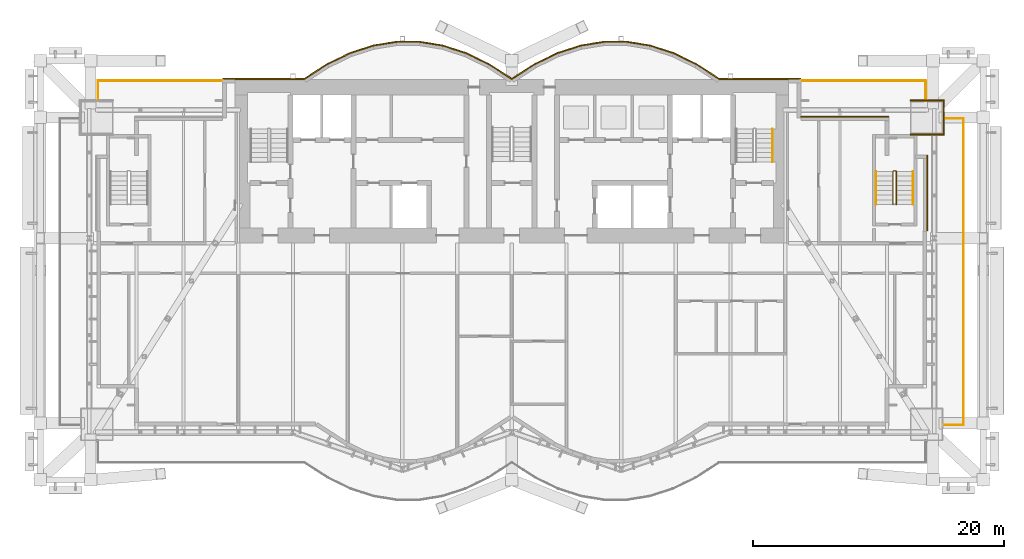
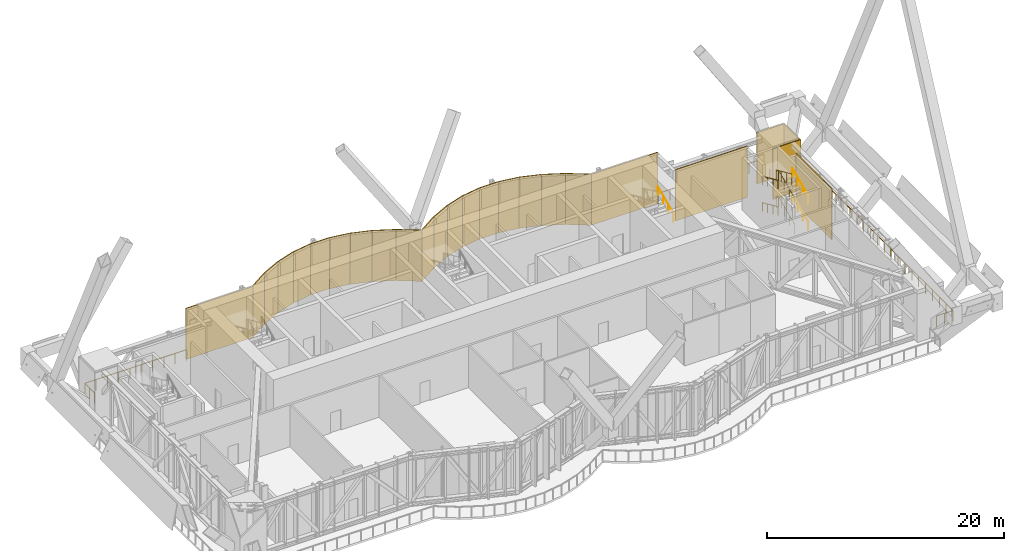
# One storey, part 30 of 31: 25 coverings, 10 railings.
"""IFC4 building model written with IfcOpenShell, lengths in metres."""

from ifc_helpers import new_model, si_unit, direction, frame, origin, origin_2d, place, context, subcontext, project, spatial, rectangle, circle, extrude, material, layer, layer_set, type_object, element, save


model = new_model("IFC4")

# Units and contexts
model_context = context("Model", 3, precision=1e-05, world=origin(), true_north=direction((0.0, 1.0)))
body_context = subcontext(model_context, "Body", "Model", "MODEL_VIEW")
ifc_project = project(units=[si_unit("LENGTHUNIT", "METRE"), si_unit("AREAUNIT", "SQUARE_METRE"), si_unit("VOLUMEUNIT", "CUBIC_METRE"), si_unit("PLANEANGLEUNIT", "RADIAN"), si_unit("MASSUNIT", "GRAM", prefix="KILO")], contexts=[model_context])

# Site, building, storey
site_placement = place(None, origin())
site = spatial("IfcSite", under=ifc_project, at=site_placement, CompositionType="ELEMENT")
building_placement = place(site_placement, origin())
building = spatial("IfcBuilding", under=site, at=building_placement, Name="Bicima Exchange Tower", CompositionType="ELEMENT")
storey_placement = place(building_placement, frame((0.0, 0.0, 236.0)))
storey = spatial("IfcBuildingStorey", under=building, at=storey_placement, Name="L53", CompositionType="ELEMENT", Elevation=236.0)

# Coverings
ifc_material_1 = material(Name="Bronze metal cladding")
ifc_layer_1 = layer(ifc_material_1, 0.004)
ifc_material_2 = material(Name="Ventilated cavity")
ifc_layer_2 = layer(ifc_material_2, 0.06)
ifc_material_3 = material(Name="Galvanised steel rail and mineral wool", Category="steel")
ifc_layer_3 = layer(ifc_material_3, 0.036)
ifc_layer_set = layer_set([ifc_layer_1, ifc_layer_2, ifc_layer_3], Name="Ventilated cavity")
covering_type = type_object("IfcCoveringType", Name="Bronze metal cladding panel 100", PredefinedType="CLADDING", material=ifc_layer_set)
covering_1_placement = place(storey_placement, frame((33.050048828125, -9.0, 0.0), z_axis=(0.0, 0.0, 1.0), x_axis=(0.0, 1.0, 0.0)))
element("IfcCovering", 1, at=covering_1_placement, inside=storey, type_object=covering_type, Name="Bronze cladding L53 2.1", PredefinedType="CLADDING", context=body_context, shape_type="SweptSolid", body=[
    extrude(rectangle(XDim=6.0, YDim=0.10009765625, at=origin_2d()), origin(), (0.0, 0.0, 1.0), 5.25),
])
covering_2_placement = place(storey_placement, frame((26.5, -2.949951171875, 0.0), z_axis=(0.0, 0.0, 1.0), x_axis=(-1.0, 0.0, 0.0)))
element("IfcCovering", 2, at=covering_2_placement, inside=storey, type_object=covering_type, Name="Bronze cladding L53 5.1", PredefinedType="CLADDING", context=body_context, shape_type="SweptSolid", body=[
    extrude(rectangle(XDim=7.0, YDim=0.10009765625, at=origin_2d()), origin(), (0.0, 0.0, 1.0), 5.25),
])
covering_3_placement = place(storey_placement, frame((19.75, 0.050048828125, 0.0), z_axis=(0.0, 0.0, 1.0), x_axis=(-1.0, 0.0, 0.0)))
element("IfcCovering", 3, at=covering_3_placement, inside=storey, type_object=covering_type, Name="Bronze cladding L53 7.1", PredefinedType="CLADDING", context=body_context, shape_type="SweptSolid", body=[
    extrude(rectangle(XDim=6.5, YDim=0.10009765625, at=origin_2d()), origin(), (0.0, 0.0, 1.0), 5.25),
])
covering_4_placement = place(storey_placement, frame((15.610595703125, 0.634521484375, 0.0), z_axis=(0.0, 0.0, 1.0), x_axis=(-0.839790466384, 0.542910648791, 0.0)))
element("IfcCovering", 4, at=covering_4_placement, inside=storey, type_object=covering_type, Name="Bronze cladding L53 8.1", PredefinedType="CLADDING", context=body_context, shape_type="SweptSolid", body=[
    extrude(rectangle(XDim=2.18310546875, YDim=0.10009765625, at=origin_2d()), origin(), (0.0, 0.0, 1.0), 5.25),
])
covering_5_placement = place(storey_placement, frame((13.771728515625, 1.674560546875, 0.0), z_axis=(0.0, 0.0, 1.0), x_axis=(-0.899818346812, 0.436264762204, 0.0)))
element("IfcCovering", 5, at=covering_5_placement, inside=storey, type_object=covering_type, Name="Bronze cladding L53 9.1", PredefinedType="CLADDING", context=body_context, shape_type="SweptSolid", body=[
    extrude(rectangle(XDim=2.03759765625, YDim=0.10009765625, at=origin_2d()), origin(), (0.0, 0.0, 1.0), 5.25),
])
covering_6_placement = place(storey_placement, frame((11.931884765625, 2.41796875, 0.0), z_axis=(0.0, 0.0, 1.0), x_axis=(-0.951524642381, 0.307572519808, 0.0)))
element("IfcCovering", 6, at=covering_6_placement, inside=storey, type_object=covering_type, Name="Bronze cladding L53 10.1", PredefinedType="CLADDING", context=body_context, shape_type="SweptSolid", body=[
    extrude(rectangle(XDim=1.9267578125, YDim=0.10009765625, at=origin_2d()), origin(), (0.0, 0.0, 1.0), 5.25),
])
covering_7_placement = place(storey_placement, frame((10.09130859375, 2.8642578125, 0.0), z_axis=(0.0, 0.0, 1.0), x_axis=(-0.987189786347, 0.159550386184, 0.0)))
element("IfcCovering", 7, at=covering_7_placement, inside=storey, type_object=covering_type, Name="Bronze cladding L53 11.1", PredefinedType="CLADDING", context=body_context, shape_type="SweptSolid", body=[
    extrude(rectangle(XDim=1.857177734375, YDim=0.10009765625, at=origin_2d()), origin(), (0.0, 0.0, 1.0), 5.25),
])
covering_8_placement = place(storey_placement, frame((8.25, 3.012939453125, 0.0), z_axis=(0.0, 0.0, 1.0), x_axis=(-1.0, 0.0, 0.0)))
element("IfcCovering", 8, at=covering_8_placement, inside=storey, type_object=covering_type, Name="Bronze cladding L53 12.1", PredefinedType="CLADDING", context=body_context, shape_type="SweptSolid", body=[
    extrude(rectangle(XDim=1.83349609375, YDim=0.10009765625, at=origin_2d()), origin(), (0.0, 0.0, 1.0), 5.25),
])
covering_9_placement = place(storey_placement, frame((6.40869140625, 2.8642578125, 0.0), z_axis=(0.0, 0.0, 1.0), x_axis=(-0.987189786347, -0.159550386184, 0.0)))
element("IfcCovering", 9, at=covering_9_placement, inside=storey, type_object=covering_type, Name="Bronze cladding L53 13.1", PredefinedType="CLADDING", context=body_context, shape_type="SweptSolid", body=[
    extrude(rectangle(XDim=1.857177734375, YDim=0.10009765625, at=origin_2d()), origin(), (0.0, 0.0, 1.0), 5.25),
])
covering_10_placement = place(storey_placement, frame((4.568115234375, 2.41796875, 0.0), z_axis=(0.0, 0.0, 1.0), x_axis=(-0.951524642381, -0.307572519808, 0.0)))
element("IfcCovering", 10, at=covering_10_placement, inside=storey, type_object=covering_type, Name="Bronze cladding L53 14.1", PredefinedType="CLADDING", context=body_context, shape_type="SweptSolid", body=[
    extrude(rectangle(XDim=1.9267578125, YDim=0.10009765625, at=origin_2d()), origin(), (0.0, 0.0, 1.0), 5.25),
])
covering_11_placement = place(storey_placement, frame((2.728271484375, 1.674560546875, 0.0), z_axis=(0.0, 0.0, 1.0), x_axis=(-0.899818346812, -0.436264762204, 0.0)))
element("IfcCovering", 11, at=covering_11_placement, inside=storey, type_object=covering_type, Name="Bronze cladding L53 15.1", PredefinedType="CLADDING", context=body_context, shape_type="SweptSolid", body=[
    extrude(rectangle(XDim=2.03759765625, YDim=0.10009765625, at=origin_2d()), origin(), (0.0, 0.0, 1.0), 5.25),
])
for number, where, z_axis, x_axis, name in (
    (12, (0.889404296875, 0.634521484375, 0.0), (0.0, 0.0, 1.0), (-0.839790466384, -0.542910648791, 0.0), "Bronze cladding L53 16.1"),
    (13, (-0.889404296875, 0.634521484375, 0.0), (0.0, 0.0, 1.0), (-0.839790466384, 0.542910648791, 0.0), "Bronze cladding L53 17.1"),
):
    element("IfcCovering", number, at=place(storey_placement, frame(where, z_axis=z_axis, x_axis=x_axis)), inside=storey, type_object=covering_type, Name=name, PredefinedType="CLADDING", context=body_context, shape_type="SweptSolid", body=[
        extrude(rectangle(XDim=2.18310546875, YDim=0.10009765625, at=origin_2d()), origin(), (0.0, 0.0, 1.0), 5.25),
    ])
covering_12_placement = place(storey_placement, frame((-2.728271484375, 1.674560546875, 0.0), z_axis=(0.0, 0.0, 1.0), x_axis=(-0.899818346812, 0.436264762204, 0.0)))
element("IfcCovering", 14, at=covering_12_placement, inside=storey, type_object=covering_type, Name="Bronze cladding L53 18.1", PredefinedType="CLADDING", context=body_context, shape_type="SweptSolid", body=[
    extrude(rectangle(XDim=2.03759765625, YDim=0.10009765625, at=origin_2d()), origin(), (0.0, 0.0, 1.0), 5.25),
])
covering_13_placement = place(storey_placement, frame((-4.568115234375, 2.41796875, 0.0), z_axis=(0.0, 0.0, 1.0), x_axis=(-0.951524642381, 0.307572519808, 0.0)))
element("IfcCovering", 15, at=covering_13_placement, inside=storey, type_object=covering_type, Name="Bronze cladding L53 19.1", PredefinedType="CLADDING", context=body_context, shape_type="SweptSolid", body=[
    extrude(rectangle(XDim=1.9267578125, YDim=0.10009765625, at=origin_2d()), origin(), (0.0, 0.0, 1.0), 5.25),
])
covering_14_placement = place(storey_placement, frame((-6.40869140625, 2.8642578125, 0.0), z_axis=(0.0, 0.0, 1.0), x_axis=(-0.987189786347, 0.159550386184, 0.0)))
element("IfcCovering", 16, at=covering_14_placement, inside=storey, type_object=covering_type, Name="Bronze cladding L53 20.1", PredefinedType="CLADDING", context=body_context, shape_type="SweptSolid", body=[
    extrude(rectangle(XDim=1.857177734375, YDim=0.10009765625, at=origin_2d()), origin(), (0.0, 0.0, 1.0), 5.25),
])
covering_15_placement = place(storey_placement, frame((-8.25, 3.012939453125, 0.0), z_axis=(0.0, 0.0, 1.0), x_axis=(-1.0, 0.0, 0.0)))
element("IfcCovering", 17, at=covering_15_placement, inside=storey, type_object=covering_type, Name="Bronze cladding L53 21.1", PredefinedType="CLADDING", context=body_context, shape_type="SweptSolid", body=[
    extrude(rectangle(XDim=1.83349609375, YDim=0.10009765625, at=origin_2d()), origin(), (0.0, 0.0, 1.0), 5.25),
])
covering_16_placement = place(storey_placement, frame((-10.09130859375, 2.8642578125, 0.0), z_axis=(0.0, 0.0, 1.0), x_axis=(-0.987189786347, -0.159550386184, 0.0)))
element("IfcCovering", 18, at=covering_16_placement, inside=storey, type_object=covering_type, Name="Bronze cladding L53 22.1", PredefinedType="CLADDING", context=body_context, shape_type="SweptSolid", body=[
    extrude(rectangle(XDim=1.857177734375, YDim=0.10009765625, at=origin_2d()), origin(), (0.0, 0.0, 1.0), 5.25),
])
covering_17_placement = place(storey_placement, frame((-11.931884765625, 2.41796875, 0.0), z_axis=(0.0, 0.0, 1.0), x_axis=(-0.951524642381, -0.307572519808, 0.0)))
element("IfcCovering", 19, at=covering_17_placement, inside=storey, type_object=covering_type, Name="Bronze cladding L53 23.1", PredefinedType="CLADDING", context=body_context, shape_type="SweptSolid", body=[
    extrude(rectangle(XDim=1.9267578125, YDim=0.10009765625, at=origin_2d()), origin(), (0.0, 0.0, 1.0), 5.25),
])
covering_18_placement = place(storey_placement, frame((-13.771728515625, 1.674560546875, 0.0), z_axis=(0.0, 0.0, 1.0), x_axis=(-0.899818346812, -0.436264762204, 0.0)))
element("IfcCovering", 20, at=covering_18_placement, inside=storey, type_object=covering_type, Name="Bronze cladding L53 24.1", PredefinedType="CLADDING", context=body_context, shape_type="SweptSolid", body=[
    extrude(rectangle(XDim=2.03759765625, YDim=0.10009765625, at=origin_2d()), origin(), (0.0, 0.0, 1.0), 5.25),
])
covering_19_placement = place(storey_placement, frame((-15.610595703125, 0.634521484375, 0.0), z_axis=(0.0, 0.0, 1.0), x_axis=(-0.839790466384, -0.542910648791, 0.0)))
element("IfcCovering", 21, at=covering_19_placement, inside=storey, type_object=covering_type, Name="Bronze cladding L53 25.1", PredefinedType="CLADDING", context=body_context, shape_type="SweptSolid", body=[
    extrude(rectangle(XDim=2.18310546875, YDim=0.10009765625, at=origin_2d()), origin(), (0.0, 0.0, 1.0), 5.25),
])
covering_20_placement = place(storey_placement, frame((-19.75, 0.050048828125, 0.0), z_axis=(0.0, 0.0, 1.0), x_axis=(-1.0, 0.0, 0.0)))
element("IfcCovering", 22, at=covering_20_placement, inside=storey, type_object=covering_type, Name="Bronze cladding L53 26.1", PredefinedType="CLADDING", context=body_context, shape_type="SweptSolid", body=[
    extrude(rectangle(XDim=6.5, YDim=0.10009765625, at=origin_2d()), origin(), (0.0, 0.0, 1.0), 5.25),
])
for number, where, z_axis, x_axis, name in (
    (23, (33.050048828125, -1.64990234375, 0.0), (0.0, 0.0, 1.0), (1.0, 0.0, 0.0), "Column cladding L53 2N"),
    (24, (33.050048828125, -4.35009765625, 0.0), (0.0, 0.0, 1.0), (1.0, 0.0, 0.0), "Column cladding L53 2S"),
):
    element("IfcCovering", number, at=place(storey_placement, frame(where, z_axis=z_axis, x_axis=x_axis)), inside=storey, type_object=covering_type, Name=name, PredefinedType="CLADDING", context=body_context, shape_type="SweptSolid", body=[
        extrude(rectangle(XDim=2.699951171875, YDim=0.10009765625, at=origin_2d()), origin(), (0.0, 0.0, 1.0), 5.25),
    ])
covering_21_placement = place(storey_placement, frame((34.35009765625, -3.0, 0.0), z_axis=(0.0, 0.0, 1.0), x_axis=(1.0, 0.0, 0.0)))
element("IfcCovering", 25, at=covering_21_placement, inside=storey, type_object=covering_type, Name="Column cladding L53 2O", PredefinedType="CLADDING", context=body_context, shape_type="SweptSolid", body=[
    extrude(rectangle(XDim=0.10009765625, YDim=2.60009765625, at=origin_2d()), origin(), (0.0, 0.0, 1.0), 5.25),
])

# Railings
ifc_material_4 = material(Name="Stainless steel", Category="steel")
railing_type_1 = type_object("IfcRailingType", Name="Stair guard 1100", PredefinedType="GUARDRAIL", material=ifc_material_4)
railing_1_placement = place(storey_placement, frame((30.574951171875, -9.925048828125, 0.168701171875)))
element("IfcRailing", 26, at=railing_1_placement, inside=storey, type_object=railing_type_1, Name="L53 ST-EE stair guard 1", PredefinedType="GUARDRAIL", context=body_context, shape_type="SweptSolid", body=[
    extrude(circle(Radius=0.02392578125, at=origin_2d()), frame((0.0, 0.0, 1.076171875), z_axis=(0.0, 0.912201722539, 0.409741403079), x_axis=(-1.0, 0.0, 0.0)), (0.0, 0.0, 1.0), 2.88330078125),
    extrude(circle(Radius=0.02392578125, at=origin_2d()), frame((0.0, 2.630126953125, 2.25732421875), z_axis=(-0.708833529934, 0.705375805398, 0.0), x_axis=(-0.705375805398, -0.708833529934, 0.0)), (0.0, 0.0, 1.0), 0.070556640625),
    extrude(circle(Radius=0.02392578125, at=origin_2d()), frame((-0.050048828125, 2.679931640625, 2.25732421875), z_axis=(-1.0, 0.0, 0.0), x_axis=(0.0, -1.0, 0.0)), (0.0, 0.0, 1.0), 0.14990234375),
    extrude(circle(Radius=0.02392578125, at=origin_2d()), frame((-0.199951171875, 2.679931640625, 2.25732421875), z_axis=(-0.273668752699, -0.272333783174, 0.922463942026), x_axis=(0.705375805398, -0.708833529934, 0.0)), (0.0, 0.0, 1.0), 0.182861328125),
    extrude(circle(Radius=0.02392578125, at=origin_2d()), frame((-0.25, 2.630126953125, 2.42626953125), z_axis=(0.0, -0.912233369549, 0.409670940488), x_axis=(1.0, 0.0, 0.0)), (0.0, 0.0, 1.0), 2.883056640625),
    extrude(circle(Radius=0.02099609375, at=origin_2d()), origin(), (0.0, 0.0, 1.0), 1.052001953125),
    extrude(circle(Radius=0.02099609375, at=origin_2d()), frame((0.0, 0.876708984375, 0.393798828125)), (0.0, 0.0, 1.0), 1.052001953125),
    extrude(circle(Radius=0.02099609375, at=origin_2d()), frame((0.0, 1.75341796875, 0.78759765625)), (0.0, 0.0, 1.0), 1.052001953125),
    extrude(circle(Radius=0.02099609375, at=origin_2d()), frame((0.0, 2.630126953125, 1.181396484375)), (0.0, 0.0, 1.0), 1.052001953125),
    extrude(circle(Radius=0.02099609375, at=origin_2d()), frame((-0.050048828125, 2.679931640625, 1.181396484375)), (0.0, 0.0, 1.0), 1.052001953125),
    extrude(circle(Radius=0.02099609375, at=origin_2d()), frame((-0.199951171875, 2.679931640625, 1.181396484375)), (0.0, 0.0, 1.0), 1.052001953125),
    extrude(circle(Radius=0.02099609375, at=origin_2d()), frame((-0.25, 2.630126953125, 1.35009765625)), (0.0, 0.0, 1.0), 1.052001953125),
    extrude(circle(Radius=0.02099609375, at=origin_2d()), frame((-0.25, 1.75341796875, 1.743896484375)), (0.0, 0.0, 1.0), 1.052001953125),
    extrude(circle(Radius=0.02099609375, at=origin_2d()), frame((-0.25, 0.876708984375, 2.137451171875)), (0.0, 0.0, 1.0), 1.052001953125),
    extrude(circle(Radius=0.02099609375, at=origin_2d()), frame((-0.25, 0.0, 2.53125)), (0.0, 0.0, 1.0), 1.052001953125),
])
railing_2_placement = place(storey_placement, frame((30.574951171875, -9.925048828125, 2.86865234375)))
element("IfcRailing", 27, at=railing_2_placement, inside=storey, type_object=railing_type_1, Name="L53 ST-EE stair guard 2", PredefinedType="GUARDRAIL", context=body_context, shape_type="SweptSolid", body=[
    extrude(circle(Radius=0.02392578125, at=origin_2d()), frame((0.0, 0.0, 1.076171875), z_axis=(0.0, 0.912201722539, 0.409741403079), x_axis=(-1.0, 0.0, 0.0)), (0.0, 0.0, 1.0), 2.88330078125),
    extrude(circle(Radius=0.02392578125, at=origin_2d()), frame((0.0, 2.630126953125, 2.25732421875), z_axis=(-0.708833529934, 0.705375805398, 0.0), x_axis=(-0.705375805398, -0.708833529934, 0.0)), (0.0, 0.0, 1.0), 0.070556640625),
    extrude(circle(Radius=0.02392578125, at=origin_2d()), frame((-0.050048828125, 2.679931640625, 2.25732421875), z_axis=(-1.0, 0.0, 0.0), x_axis=(0.0, -1.0, 0.0)), (0.0, 0.0, 1.0), 0.14990234375),
    extrude(circle(Radius=0.02392578125, at=origin_2d()), frame((-0.199951171875, 2.679931640625, 2.25732421875), z_axis=(-0.273668752699, -0.272333783174, 0.922463942026), x_axis=(0.705375805398, -0.708833529934, 0.0)), (0.0, 0.0, 1.0), 0.182861328125),
    extrude(circle(Radius=0.02392578125, at=origin_2d()), frame((-0.25, 2.630126953125, 2.42626953125), z_axis=(0.0, -0.912233369549, 0.409670940488), x_axis=(1.0, 0.0, 0.0)), (0.0, 0.0, 1.0), 2.883056640625),
    extrude(circle(Radius=0.02099609375, at=origin_2d()), origin(), (0.0, 0.0, 1.0), 1.052001953125),
    extrude(circle(Radius=0.02099609375, at=origin_2d()), frame((0.0, 0.876708984375, 0.393798828125)), (0.0, 0.0, 1.0), 1.052001953125),
    extrude(circle(Radius=0.02099609375, at=origin_2d()), frame((0.0, 1.75341796875, 0.78759765625)), (0.0, 0.0, 1.0), 1.052001953125),
    extrude(circle(Radius=0.02099609375, at=origin_2d()), frame((0.0, 2.630126953125, 1.181396484375)), (0.0, 0.0, 1.0), 1.052001953125),
    extrude(circle(Radius=0.02099609375, at=origin_2d()), frame((-0.050048828125, 2.679931640625, 1.181396484375)), (0.0, 0.0, 1.0), 1.052001953125),
    extrude(circle(Radius=0.02099609375, at=origin_2d()), frame((-0.199951171875, 2.679931640625, 1.181396484375)), (0.0, 0.0, 1.0), 1.052001953125),
    extrude(circle(Radius=0.02099609375, at=origin_2d()), frame((-0.25, 2.630126953125, 1.35009765625)), (0.0, 0.0, 1.0), 1.052001953125),
    extrude(circle(Radius=0.02099609375, at=origin_2d()), frame((-0.25, 1.75341796875, 1.743896484375)), (0.0, 0.0, 1.0), 1.052001953125),
    extrude(circle(Radius=0.02099609375, at=origin_2d()), frame((-0.25, 0.876708984375, 2.137451171875)), (0.0, 0.0, 1.0), 1.052001953125),
    extrude(circle(Radius=0.02099609375, at=origin_2d()), frame((-0.25, 0.0, 2.53125)), (0.0, 0.0, 1.0), 1.052001953125),
])
railing_type_2 = type_object("IfcRailingType", Name="Stair handrail 900", PredefinedType="HANDRAIL", material=ifc_material_4)
for number, where, name in (
    (28, (20.75, -6.550048828125, 2.86865234375), "L53 ST-E stair handrail 3"),
    (29, (31.925048828125, -9.925048828125, 0.168701171875), "L53 ST-EE stair handrail 1"),
):
    element("IfcRailing", number, at=place(storey_placement, frame(where)), inside=storey, type_object=railing_type_2, Name=name, PredefinedType="HANDRAIL", context=body_context, shape_type="SweptSolid", body=[
        extrude(circle(Radius=0.02392578125, at=origin_2d()), frame((0.0, 0.0, 0.8759765625), z_axis=(0.0, 0.912201722539, 0.409741403079), x_axis=(-1.0, 0.0, 0.0)), (0.0, 0.0, 1.0), 2.88330078125),
        extrude(circle(Radius=0.02099609375, at=origin_2d()), origin(), (0.0, 0.0, 1.0), 0.851806640625),
        extrude(circle(Radius=0.02099609375, at=origin_2d()), frame((0.0, 0.876708984375, 0.393798828125)), (0.0, 0.0, 1.0), 0.851806640625),
        extrude(circle(Radius=0.02099609375, at=origin_2d()), frame((0.0, 1.75341796875, 0.78759765625)), (0.0, 0.0, 1.0), 0.851806640625),
        extrude(circle(Radius=0.02099609375, at=origin_2d()), frame((0.0, 2.630126953125, 1.181396484375)), (0.0, 0.0, 1.0), 0.851806640625),
    ])
railing_3_placement = place(storey_placement, frame((28.97509765625, -7.294921875, 1.518798828125)))
element("IfcRailing", 30, at=railing_3_placement, inside=storey, type_object=railing_type_2, Name="L53 ST-EE stair handrail 2", PredefinedType="HANDRAIL", context=body_context, shape_type="SweptSolid", body=[
    extrude(circle(Radius=0.02392578125, at=origin_2d()), frame((0.0, 0.0, 0.8759765625), z_axis=(0.0, -0.912233369549, 0.409670940488), x_axis=(1.0, 0.0, 0.0)), (0.0, 0.0, 1.0), 2.883056640625),
    extrude(circle(Radius=0.02099609375, at=origin_2d()), origin(), (0.0, 0.0, 1.0), 0.851806640625),
    extrude(circle(Radius=0.02099609375, at=origin_2d()), frame((0.0, -0.876708984375, 0.393798828125)), (0.0, 0.0, 1.0), 0.851806640625),
    extrude(circle(Radius=0.02099609375, at=origin_2d()), frame((0.0, -1.75341796875, 0.787353515625)), (0.0, 0.0, 1.0), 0.851806640625),
    extrude(circle(Radius=0.02099609375, at=origin_2d()), frame((0.0, -2.630126953125, 1.18115234375)), (0.0, 0.0, 1.0), 0.851806640625),
])
railing_4_placement = place(storey_placement, frame((31.925048828125, -9.925048828125, 2.86865234375)))
element("IfcRailing", 31, at=railing_4_placement, inside=storey, type_object=railing_type_2, Name="L53 ST-EE stair handrail 3", PredefinedType="HANDRAIL", context=body_context, shape_type="SweptSolid", body=[
    extrude(circle(Radius=0.02392578125, at=origin_2d()), frame((0.0, 0.0, 0.8759765625), z_axis=(0.0, 0.912201722539, 0.409741403079), x_axis=(-1.0, 0.0, 0.0)), (0.0, 0.0, 1.0), 2.88330078125),
    extrude(circle(Radius=0.02099609375, at=origin_2d()), origin(), (0.0, 0.0, 1.0), 0.851806640625),
    extrude(circle(Radius=0.02099609375, at=origin_2d()), frame((0.0, 0.876708984375, 0.393798828125)), (0.0, 0.0, 1.0), 0.851806640625),
    extrude(circle(Radius=0.02099609375, at=origin_2d()), frame((0.0, 1.75341796875, 0.78759765625)), (0.0, 0.0, 1.0), 0.851806640625),
    extrude(circle(Radius=0.02099609375, at=origin_2d()), frame((0.0, 2.630126953125, 1.181396484375)), (0.0, 0.0, 1.0), 0.851806640625),
])
railing_5_placement = place(storey_placement, frame((28.97509765625, -7.294921875, 4.241455078125)))
element("IfcRailing", 32, at=railing_5_placement, inside=storey, type_object=railing_type_2, Name="L53 ST-EE stair handrail 4", PredefinedType="HANDRAIL", context=body_context, shape_type="SweptSolid", body=[
    extrude(circle(Radius=0.02392578125, at=origin_2d()), frame((0.0, 0.0, 0.8759765625), z_axis=(0.0, -0.912201722539, 0.409741403079), x_axis=(1.0, 0.0, 0.0)), (0.0, 0.0, 1.0), 2.88330078125),
    extrude(circle(Radius=0.02099609375, at=origin_2d()), origin(), (0.0, 0.0, 1.0), 0.851806640625),
    extrude(circle(Radius=0.02099609375, at=origin_2d()), frame((0.0, -0.876708984375, 0.393798828125)), (0.0, 0.0, 1.0), 0.851806640625),
    extrude(circle(Radius=0.02099609375, at=origin_2d()), frame((0.0, -1.75341796875, 0.78759765625)), (0.0, 0.0, 1.0), 0.851806640625),
    extrude(circle(Radius=0.02099609375, at=origin_2d()), frame((0.0, -2.630126953125, 1.181396484375)), (0.0, 0.0, 1.0), 0.851806640625),
])
ifc_material_5 = material(Name="Stainless steel and bonded safety glass", Category="steel")
railing_type_3 = type_object("IfcRailingType", Name="Terrace guard 1100", PredefinedType="GUARDRAIL", material=ifc_material_5)
railing_6_placement = place(storey_placement, frame((-32.919921875, -1.699951171875, 0.0)))
element("IfcRailing", 33, at=railing_6_placement, inside=storey, type_object=railing_type_3, Name="Terrace guard L53 2", PredefinedType="GUARDRAIL", context=body_context, shape_type="SweptSolid", body=[
    extrude(circle(Radius=0.02392578125, at=origin_2d()), frame((0.0, 0.0, 1.076171875), z_axis=(0.0, 1.0, 0.0), x_axis=(-1.0, 0.0, 0.0)), (0.0, 0.0, 1.0), 1.619873046875),
    extrude(circle(Radius=0.02392578125, at=origin_2d()), frame((0.0, 1.619873046875, 1.076171875), z_axis=(1.0, 0.0, 0.0), x_axis=(0.0, 1.0, 0.0)), (0.0, 0.0, 1.0), 9.89990234375),
    extrude(circle(Radius=0.02099609375, at=origin_2d()), origin(), (0.0, 0.0, 1.0), 1.052001953125),
    extrude(circle(Radius=0.02099609375, at=origin_2d()), frame((0.0, 0.81005859375, 0.0)), (0.0, 0.0, 1.0), 1.052001953125),
    extrude(circle(Radius=0.02099609375, at=origin_2d()), frame((0.0, 1.619873046875, 0.0)), (0.0, 0.0, 1.0), 1.052001953125),
    extrude(circle(Radius=0.02099609375, at=origin_2d()), frame((1.10009765625, 1.619873046875, 0.0)), (0.0, 0.0, 1.0), 1.052001953125),
    extrude(circle(Radius=0.02099609375, at=origin_2d()), frame((2.199951171875, 1.619873046875, 0.0)), (0.0, 0.0, 1.0), 1.052001953125),
    extrude(circle(Radius=0.02099609375, at=origin_2d()), frame((3.300048828125, 1.619873046875, 0.0)), (0.0, 0.0, 1.0), 1.052001953125),
    extrude(circle(Radius=0.02099609375, at=origin_2d()), frame((4.39990234375, 1.619873046875, 0.0)), (0.0, 0.0, 1.0), 1.052001953125),
    extrude(circle(Radius=0.02099609375, at=origin_2d()), frame((5.5, 1.619873046875, 0.0)), (0.0, 0.0, 1.0), 1.052001953125),
    extrude(circle(Radius=0.02099609375, at=origin_2d()), frame((6.599853515625, 1.619873046875, 0.0)), (0.0, 0.0, 1.0), 1.052001953125),
    extrude(circle(Radius=0.02099609375, at=origin_2d()), frame((7.699951171875, 1.619873046875, 0.0)), (0.0, 0.0, 1.0), 1.052001953125),
    extrude(circle(Radius=0.02099609375, at=origin_2d()), frame((8.7998046875, 1.619873046875, 0.0)), (0.0, 0.0, 1.0), 1.052001953125),
    extrude(circle(Radius=0.02099609375, at=origin_2d()), frame((9.89990234375, 1.619873046875, 0.0)), (0.0, 0.0, 1.0), 1.052001953125),
])
railing_7_placement = place(storey_placement, frame((23.02001953125, -0.080078125, 0.0)))
element("IfcRailing", 34, at=railing_7_placement, inside=storey, type_object=railing_type_3, Name="Terrace guard L53 3", PredefinedType="GUARDRAIL", context=body_context, shape_type="SweptSolid", body=[
    extrude(circle(Radius=0.02392578125, at=origin_2d()), frame((0.0, 0.0, 1.076171875), z_axis=(1.0, 0.0, 0.0), x_axis=(0.0, 1.0, 0.0)), (0.0, 0.0, 1.0), 9.89990234375),
    extrude(circle(Radius=0.02392578125, at=origin_2d()), frame((9.89990234375, 0.0, 1.076171875), z_axis=(0.0, -1.0, 0.0), x_axis=(1.0, 0.0, 0.0)), (0.0, 0.0, 1.0), 1.619873046875),
    extrude(circle(Radius=0.02099609375, at=origin_2d()), origin(), (0.0, 0.0, 1.0), 1.052001953125),
    extrude(circle(Radius=0.02099609375, at=origin_2d()), frame((1.10009765625, 0.0, 0.0)), (0.0, 0.0, 1.0), 1.052001953125),
    extrude(circle(Radius=0.02099609375, at=origin_2d()), frame((2.199951171875, 0.0, 0.0)), (0.0, 0.0, 1.0), 1.052001953125),
    extrude(circle(Radius=0.02099609375, at=origin_2d()), frame((3.300048828125, 0.0, 0.0)), (0.0, 0.0, 1.0), 1.052001953125),
    extrude(circle(Radius=0.02099609375, at=origin_2d()), frame((4.39990234375, 0.0, 0.0)), (0.0, 0.0, 1.0), 1.052001953125),
    extrude(circle(Radius=0.02099609375, at=origin_2d()), frame((5.5, 0.0, 0.0)), (0.0, 0.0, 1.0), 1.052001953125),
    extrude(circle(Radius=0.02099609375, at=origin_2d()), frame((6.599853515625, 0.0, 0.0)), (0.0, 0.0, 1.0), 1.052001953125),
    extrude(circle(Radius=0.02099609375, at=origin_2d()), frame((7.699951171875, 0.0, 0.0)), (0.0, 0.0, 1.0), 1.052001953125),
    extrude(circle(Radius=0.02099609375, at=origin_2d()), frame((8.7998046875, 0.0, 0.0)), (0.0, 0.0, 1.0), 1.052001953125),
    extrude(circle(Radius=0.02099609375, at=origin_2d()), frame((9.89990234375, 0.0, 0.0)), (0.0, 0.0, 1.0), 1.052001953125),
    extrude(circle(Radius=0.02099609375, at=origin_2d()), frame((9.89990234375, -0.81005859375, 0.0)), (0.0, 0.0, 1.0), 1.052001953125),
    extrude(circle(Radius=0.02099609375, at=origin_2d()), frame((9.89990234375, -1.619873046875, 0.0)), (0.0, 0.0, 1.0), 1.052001953125),
])
railing_8_placement = place(storey_placement, frame((34.300048828125, -3.080078125, 0.0)))
element("IfcRailing", 35, at=railing_8_placement, inside=storey, type_object=railing_type_3, Name="Terrace guard L53 4", PredefinedType="GUARDRAIL", context=body_context, shape_type="SweptSolid", body=[
    extrude(circle(Radius=0.02392578125, at=origin_2d()), frame((0.0, 0.0, 1.076171875), z_axis=(1.0, 0.0, 0.0), x_axis=(0.0, 1.0, 0.0)), (0.0, 0.0, 1.0), 1.619873046875),
    extrude(circle(Radius=0.02392578125, at=origin_2d()), frame((1.619873046875, 0.0, 1.076171875), z_axis=(0.0, -1.0, 0.0), x_axis=(1.0, 0.0, 0.0)), (0.0, 0.0, 1.0), 24.371826171875),
    extrude(circle(Radius=0.02392578125, at=origin_2d()), frame((1.619873046875, -24.371826171875, 1.076171875), z_axis=(-1.0, 0.0, 0.0), x_axis=(0.0, -1.0, 0.0)), (0.0, 0.0, 1.0), 1.619873046875),
    extrude(circle(Radius=0.02099609375, at=origin_2d()), origin(), (0.0, 0.0, 1.0), 1.052001953125),
    extrude(circle(Radius=0.02099609375, at=origin_2d()), frame((0.81005859375, 0.0, 0.0)), (0.0, 0.0, 1.0), 1.052001953125),
    extrude(circle(Radius=0.02099609375, at=origin_2d()), frame((1.619873046875, 0.0, 0.0)), (0.0, 0.0, 1.0), 1.052001953125),
    extrude(circle(Radius=0.02099609375, at=origin_2d()), frame((1.619873046875, -1.16064453125, 0.0)), (0.0, 0.0, 1.0), 1.052001953125),
    extrude(circle(Radius=0.02099609375, at=origin_2d()), frame((1.619873046875, -2.321044921875, 0.0)), (0.0, 0.0, 1.0), 1.052001953125),
    extrude(circle(Radius=0.02099609375, at=origin_2d()), frame((1.619873046875, -3.481689453125, 0.0)), (0.0, 0.0, 1.0), 1.052001953125),
    extrude(circle(Radius=0.02099609375, at=origin_2d()), frame((1.619873046875, -4.642333984375, 0.0)), (0.0, 0.0, 1.0), 1.052001953125),
    extrude(circle(Radius=0.02099609375, at=origin_2d()), frame((1.619873046875, -5.802734375, 0.0)), (0.0, 0.0, 1.0), 1.052001953125),
    extrude(circle(Radius=0.02099609375, at=origin_2d()), frame((1.619873046875, -6.96337890625, 0.0)), (0.0, 0.0, 1.0), 1.052001953125),
    extrude(circle(Radius=0.02099609375, at=origin_2d()), frame((1.619873046875, -8.1240234375, 0.0)), (0.0, 0.0, 1.0), 1.052001953125),
    extrude(circle(Radius=0.02099609375, at=origin_2d()), frame((1.619873046875, -9.284423828125, 0.0)), (0.0, 0.0, 1.0), 1.052001953125),
    extrude(circle(Radius=0.02099609375, at=origin_2d()), frame((1.619873046875, -10.445068359375, 0.0)), (0.0, 0.0, 1.0), 1.052001953125),
    extrude(circle(Radius=0.02099609375, at=origin_2d()), frame((1.619873046875, -11.605712890625, 0.0)), (0.0, 0.0, 1.0), 1.052001953125),
    extrude(circle(Radius=0.02099609375, at=origin_2d()), frame((1.619873046875, -12.76611328125, 0.0)), (0.0, 0.0, 1.0), 1.052001953125),
    extrude(circle(Radius=0.02099609375, at=origin_2d()), frame((1.619873046875, -13.9267578125, 0.0)), (0.0, 0.0, 1.0), 1.052001953125),
    extrude(circle(Radius=0.02099609375, at=origin_2d()), frame((1.619873046875, -15.08740234375, 0.0)), (0.0, 0.0, 1.0), 1.052001953125),
    extrude(circle(Radius=0.02099609375, at=origin_2d()), frame((1.619873046875, -16.247802734375, 0.0)), (0.0, 0.0, 1.0), 1.052001953125),
    extrude(circle(Radius=0.02099609375, at=origin_2d()), frame((1.619873046875, -17.408447265625, 0.0)), (0.0, 0.0, 1.0), 1.052001953125),
    extrude(circle(Radius=0.02099609375, at=origin_2d()), frame((1.619873046875, -18.569091796875, 0.0)), (0.0, 0.0, 1.0), 1.052001953125),
    extrude(circle(Radius=0.02099609375, at=origin_2d()), frame((1.619873046875, -19.7294921875, 0.0)), (0.0, 0.0, 1.0), 1.052001953125),
    extrude(circle(Radius=0.02099609375, at=origin_2d()), frame((1.619873046875, -20.89013671875, 0.0)), (0.0, 0.0, 1.0), 1.052001953125),
    extrude(circle(Radius=0.02099609375, at=origin_2d()), frame((1.619873046875, -22.05078125, 0.0)), (0.0, 0.0, 1.0), 1.052001953125),
    extrude(circle(Radius=0.02099609375, at=origin_2d()), frame((1.619873046875, -23.211181640625, 0.0)), (0.0, 0.0, 1.0), 1.052001953125),
    extrude(circle(Radius=0.02099609375, at=origin_2d()), frame((1.619873046875, -24.371826171875, 0.0)), (0.0, 0.0, 1.0), 1.052001953125),
    extrude(circle(Radius=0.02099609375, at=origin_2d()), frame((0.81005859375, -24.371826171875, 0.0)), (0.0, 0.0, 1.0), 1.052001953125),
    extrude(circle(Radius=0.02099609375, at=origin_2d()), frame((0.0, -24.371826171875, 0.0)), (0.0, 0.0, 1.0), 1.052001953125),
])

save(model, "model.ifc")
